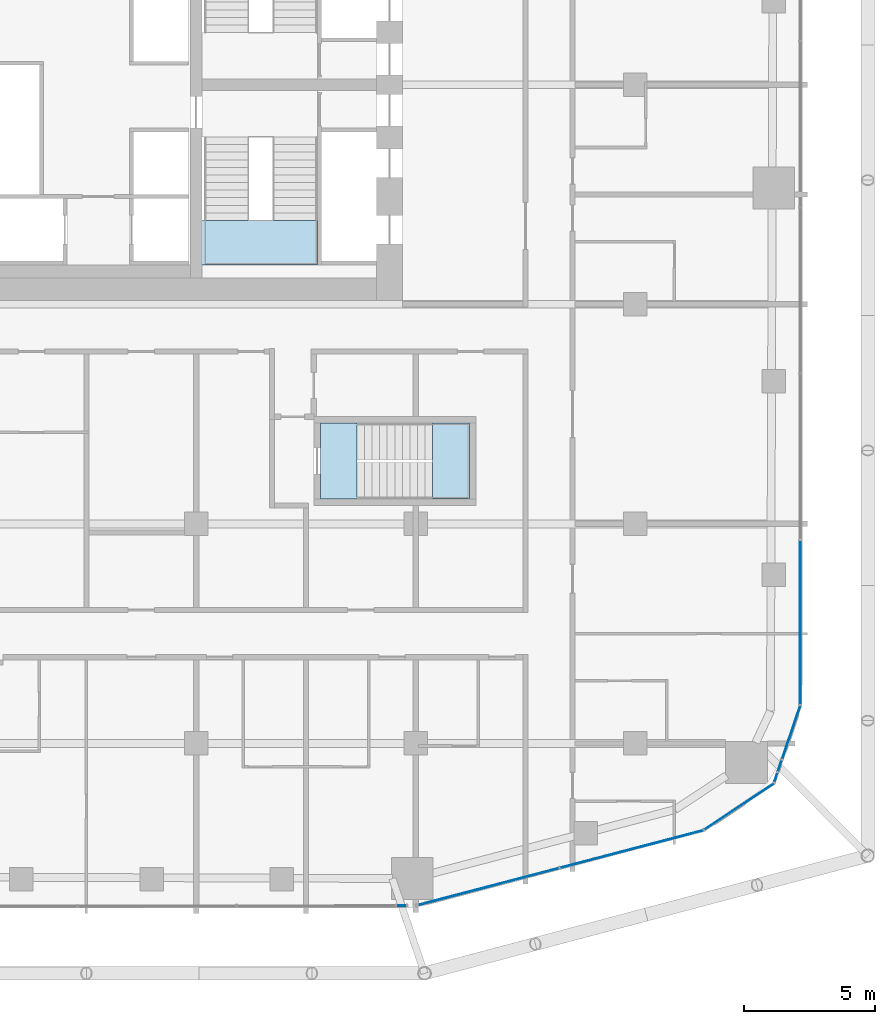
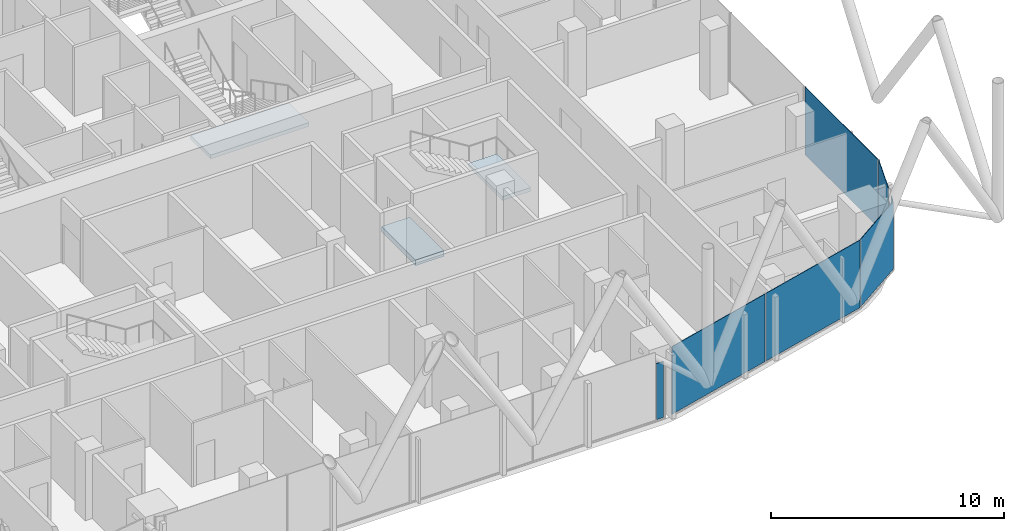
# One storey, part 20 of 33: 8 plates, 3 slabs, 9 elements without a shape of their own.
"""IFC4 building model written with IfcOpenShell, lengths in metres."""

from ifc_helpers import new_model, si_unit, direction, frame, origin, origin_2d, place, context, subcontext, project, spatial, polyline, rectangle, outline, extrude, material, layer, layer_set, type_object, element, aggregate, save


model = new_model("IFC4")

# Units and contexts
model_context = context("Model", 3, precision=1e-05, world=origin(), true_north=direction((0.0, 1.0)))
body_context = subcontext(model_context, "Body", "Model", "MODEL_VIEW")
ifc_project = project(units=[si_unit("LENGTHUNIT", "METRE"), si_unit("AREAUNIT", "SQUARE_METRE"), si_unit("VOLUMEUNIT", "CUBIC_METRE"), si_unit("PLANEANGLEUNIT", "RADIAN"), si_unit("MASSUNIT", "GRAM", prefix="KILO")], contexts=[model_context])

# Site, building, storey
site_placement = place(None, origin())
site = spatial("IfcSite", under=ifc_project, at=site_placement, CompositionType="ELEMENT")
building_placement = place(site_placement, origin())
building = spatial("IfcBuilding", under=site, at=building_placement, Name="Marenta Gate Hotel Tower", CompositionType="ELEMENT")
storey_placement = place(building_placement, frame((0.0, 0.0, 151.699951171875)))
storey = spatial("IfcBuildingStorey", under=building, at=storey_placement, Name="L35", CompositionType="ELEMENT", Elevation=151.699951171875)

# Stair, slab
ifc_material_1 = material(Name="Concrete C40", Category="concrete")
stair_type_1 = type_object("IfcStairType", Name="Core exit stair 1700 wide", PredefinedType="HALF_TURN_STAIR", material=ifc_material_1)
stair_1_placement = place(storey_placement, origin())
stair_1 = element("IfcStair", 1, at=stair_1_placement, inside=storey, type_object=stair_type_1, Name="Exit stair 3", PredefinedType="HALF_TURN_STAIR")
ifc_material_2 = material(Name="Concrete C40", Category="concrete")
ifc_layer_1 = layer(ifc_material_2, 0.199951171875)
ifc_layer_set_1 = layer_set([ifc_layer_1], Name="Concrete C40")
slab_type_1 = type_object("IfcSlabType", Name="Core stair landing 200", PredefinedType="LANDING", material=ifc_layer_set_1)
slab_1_placement = place(storey_placement, frame((0.0, 0.0, 1.60009765625)))
slab_1 = element("IfcSlab", 2, at=slab_1_placement, type_object=slab_type_1, Name="SL-200 ST3 landing 1", PredefinedType="LANDING", context=body_context, shape_type="SweptSolid", body=[
    extrude(outline(polyline([(3.97509765625, 1.5), (8.85009765625, 1.5), (8.85009765625, 3.2099609375), (3.97509765625, 3.2099609375), (3.97509765625, 1.5)])), origin(), (0.0, 0.0, 1.0), 0.199951171875),
])
aggregate(stair_1, [slab_1])

# Curtain wall, plate
ifc_material_3 = material(Name="Tinted insulated glass in bronze anodised frame", Category="glass")
ifc_layer_2 = layer(ifc_material_3, 0.1201171875)
ifc_layer_set_2 = layer_set([ifc_layer_2], Name="Tinted insulated glass in bronze anodised frame")
curtain_wall_type = type_object("IfcCurtainWallType", Name="Tower unitised curtain wall CW1", PredefinedType="NOTDEFINED", material=ifc_layer_set_2)
curtain_wall_1_placement = place(storey_placement, origin())
curtain_wall_1 = element("IfcCurtainWall", 3, at=curtain_wall_1_placement, inside=storey, type_object=curtain_wall_type, Name="CW1 run G13", PredefinedType="NOTDEFINED")
ifc_material_4 = material(Name="Tinted insulated glass", Category="glass")
ifc_layer_3 = layer(ifc_material_4, 0.028076171875)
ifc_layer_set_3 = layer_set([ifc_layer_3], Name="Tinted insulated glass")
plate_type = type_object("IfcPlateType", Name="Glass panel CW1 28 mm tinted insulated unit", PredefinedType="CURTAIN_PANEL", material=ifc_layer_set_3)
plate_1_placement = place(storey_placement, frame((12.060791015625, -23.013916015625, 0.06005859375), z_axis=(0.0, 0.0, 1.0), x_axis=(0.999999212858, 0.001254704164, 0.0)))
plate_1 = element("IfcPlate", 4, at=plate_1_placement, type_object=plate_type, Name="CW1 panel 1.1", PredefinedType="CURTAIN_PANEL", context=body_context, shape_type="SweptSolid", body=[
    extrude(rectangle(XDim=0.358154296875, YDim=0.028076171875, at=origin_2d()), origin(), (0.0, 0.0, 1.0), 2.9404296875),
])
aggregate(curtain_wall_1, [plate_1])

# Curtain wall, plates
curtain_wall_2_placement = place(storey_placement, origin())
curtain_wall_2 = element("IfcCurtainWall", 5, at=curtain_wall_2_placement, inside=storey, type_object=curtain_wall_type, Name="CW1 run G14", PredefinedType="NOTDEFINED")
plate_2_placement = place(storey_placement, frame((15.36474609375, -22.28857421875, 0.06005859375), z_axis=(0.0, 0.0, 1.0), x_axis=(0.967368326473, 0.253374270473, 0.0)))
plate_2 = element("IfcPlate", 6, at=plate_2_placement, type_object=plate_type, Name="CW1 panel 1.1", PredefinedType="CURTAIN_PANEL", context=body_context, shape_type="SweptSolid", body=[
    extrude(rectangle(XDim=5.6005859375, YDim=0.028076171875, at=origin_2d()), origin(), (0.0, 0.0, 1.0), 3.5400390625),
])
plate_3_placement = place(storey_placement, frame((20.86962890625, -20.8466796875, 0.06005859375), z_axis=(0.0, 0.0, 1.0), x_axis=(0.967368326473, 0.253374270473, 0.0)))
plate_3 = element("IfcPlate", 7, at=plate_3_placement, type_object=plate_type, Name="CW1 panel 2.1", PredefinedType="CURTAIN_PANEL", context=body_context, shape_type="SweptSolid", body=[
    extrude(rectangle(XDim=5.66064453125, YDim=0.028076171875, at=origin_2d()), origin(), (0.0, 0.0, 1.0), 3.5400390625),
])
aggregate(curtain_wall_2, [plate_2, plate_3])

# Curtain wall, plate
curtain_wall_3_placement = place(storey_placement, origin())
curtain_wall_3 = element("IfcCurtainWall", 8, at=curtain_wall_3_placement, inside=storey, type_object=curtain_wall_type, Name="CW1 run G15", PredefinedType="NOTDEFINED")
plate_4_placement = place(storey_placement, frame((24.981201171875, -19.215576171875, 0.06005859375), z_axis=(0.0, 0.0, 1.0), x_axis=(0.832505857051, 0.554016243423, 0.0)))
plate_4 = element("IfcPlate", 9, at=plate_4_placement, type_object=plate_type, Name="CW1 panel 1.1", PredefinedType="CURTAIN_PANEL", context=body_context, shape_type="SweptSolid", body=[
    extrude(rectangle(XDim=3.179931640625, YDim=0.028076171875, at=origin_2d()), origin(), (0.0, 0.0, 1.0), 3.5400390625),
])
aggregate(curtain_wall_3, [plate_4])

curtain_wall_4_placement = place(storey_placement, origin())
curtain_wall_4 = element("IfcCurtainWall", 10, at=curtain_wall_4_placement, inside=storey, type_object=curtain_wall_type, Name="CW1 run G16", PredefinedType="NOTDEFINED")
plate_5_placement = place(storey_placement, frame((26.383544921875, -18.103515625, 0.06005859375), z_axis=(0.0, 0.0, 1.0), x_axis=(0.322036701561, 0.946727185016, 0.0)))
plate_5 = element("IfcPlate", 11, at=plate_5_placement, type_object=plate_type, Name="CW1 panel 1.1", PredefinedType="CURTAIN_PANEL", context=body_context, shape_type="SweptSolid", body=[
    extrude(rectangle(XDim=0.3681640625, YDim=0.028076171875, at=origin_2d()), origin(), (0.0, 0.0, 1.0), 3.5400390625),
])
aggregate(curtain_wall_4, [plate_5])

curtain_wall_5_placement = place(storey_placement, origin())
curtain_wall_5 = element("IfcCurtainWall", 12, at=curtain_wall_5_placement, inside=storey, type_object=curtain_wall_type, Name="CW1 run G17", PredefinedType="NOTDEFINED")
plate_6_placement = place(storey_placement, frame((26.533935546875, -17.6611328125, 0.06005859375), z_axis=(0.0, 0.0, 1.0), x_axis=(0.322030237029, 0.946729383953, 0.0)))
plate_6 = element("IfcPlate", 13, at=plate_6_placement, type_object=plate_type, Name="CW1 panel 1.1", PredefinedType="CURTAIN_PANEL", context=body_context, shape_type="SweptSolid", body=[
    extrude(rectangle(XDim=0.4462890625, YDim=0.028076171875, at=origin_2d()), origin(), (0.0, 0.0, 1.0), 2.9404296875),
])
aggregate(curtain_wall_5, [plate_6])

curtain_wall_6_placement = place(storey_placement, origin())
curtain_wall_6 = element("IfcCurtainWall", 14, at=curtain_wall_6_placement, inside=storey, type_object=curtain_wall_type, Name="CW1 run G18", PredefinedType="NOTDEFINED")
plate_7_placement = place(storey_placement, frame((26.969482421875, -16.380615234375, 0.06005859375), z_axis=(0.0, 0.0, 1.0), x_axis=(0.322033162785, 0.946728388751, 0.0)))
plate_7 = element("IfcPlate", 15, at=plate_7_placement, type_object=plate_type, Name="CW1 panel 1.1", PredefinedType="CURTAIN_PANEL", context=body_context, shape_type="SweptSolid", body=[
    extrude(rectangle(XDim=2.13916015625, YDim=0.028076171875, at=origin_2d()), origin(), (0.0, 0.0, 1.0), 3.5400390625),
])
aggregate(curtain_wall_6, [plate_7])

curtain_wall_7_placement = place(storey_placement, origin())
curtain_wall_7 = element("IfcCurtainWall", 16, at=curtain_wall_7_placement, inside=storey, type_object=curtain_wall_type, Name="CW1 run G19", PredefinedType="NOTDEFINED")
plate_8_placement = place(storey_placement, frame((27.31396484375, -12.173095703125, 0.06005859375), z_axis=(0.0, 0.0, 1.0), x_axis=(0.0, 1.0, 0.0)))
plate_8 = element("IfcPlate", 17, at=plate_8_placement, type_object=plate_type, Name="CW1 panel 1.1", PredefinedType="CURTAIN_PANEL", context=body_context, shape_type="SweptSolid", body=[
    extrude(rectangle(XDim=6.27001953125, YDim=0.028076171875, at=origin_2d()), origin(), (0.0, 0.0, 1.0), 3.5400390625),
])
aggregate(curtain_wall_7, [plate_8])

# Stair, slab
ifc_material_5 = material(Name="Concrete C40", Category="concrete")
stair_type_2 = type_object("IfcStairType", Name="Remote exit stair 1400 wide", PredefinedType="HALF_TURN_STAIR", material=ifc_material_5)
stair_2_placement = place(storey_placement, origin())
stair_2 = element("IfcStair", 18, at=stair_2_placement, inside=storey, type_object=stair_type_2, Name="Exit stair RS-Z2-2", PredefinedType="HALF_TURN_STAIR")
ifc_material_6 = material(Name="Concrete C40", Category="concrete")
ifc_layer_4 = layer(ifc_material_6, 0.199951171875)
ifc_layer_set_4 = layer_set([ifc_layer_4], Name="Concrete C40")
slab_type_2 = type_object("IfcSlabType", Name="Remote stair landing 200", PredefinedType="LANDING", material=ifc_layer_set_4)
slab_2_placement = place(storey_placement, frame((0.0, 0.0, 1.60009765625)))
slab_2 = element("IfcSlab", 19, at=slab_2_placement, type_object=slab_type_2, Name="RL-200 RS-Z2-2 landing 1", PredefinedType="LANDING", context=body_context, shape_type="SweptSolid", body=[
    extrude(outline(polyline([(13.25, -7.449951171875), (14.64990234375, -7.449951171875), (14.64990234375, -4.550048828125), (13.25, -4.550048828125), (13.25, -7.449951171875)])), origin(), (0.0, 0.0, 1.0), 0.199951171875),
])
aggregate(stair_2, [slab_2])

# Slab
ifc_material_7 = material(Name="Concrete C40", Category="concrete")
ifc_layer_5 = layer(ifc_material_7, 0.300048828125)
ifc_layer_set_5 = layer_set([ifc_layer_5], Name="Concrete C40")
slab_type_3 = type_object("IfcSlabType", Name="Stair floor landing slab 300", PredefinedType="FLOOR", material=ifc_layer_set_5)
slab_3_placement = place(storey_placement, frame((0.0, 0.0, -0.300048828125)))
element("IfcSlab", 20, at=slab_3_placement, inside=storey, type_object=slab_type_3, Name="L35-RS-Z2-2-CL", PredefinedType="FLOOR", context=body_context, shape_type="SweptSolid", body=[
    extrude(outline(polyline([(10.35009765625, -7.449951171875), (10.35009765625, -4.550048828125), (8.949951171875, -4.550048828125), (8.949951171875, -7.449951171875), (10.35009765625, -7.449951171875)])), origin(), (0.0, 0.0, 1.0), 0.300048828125),
])

save(model, "model.ifc")
